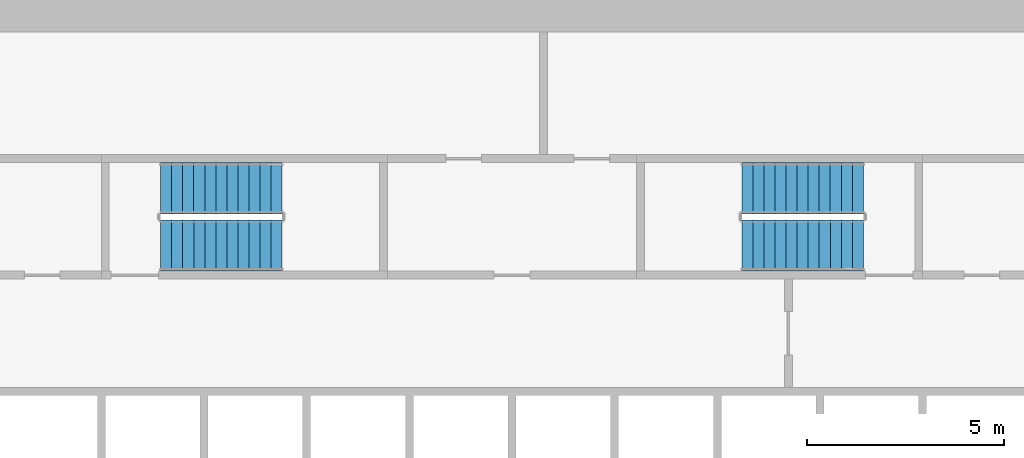
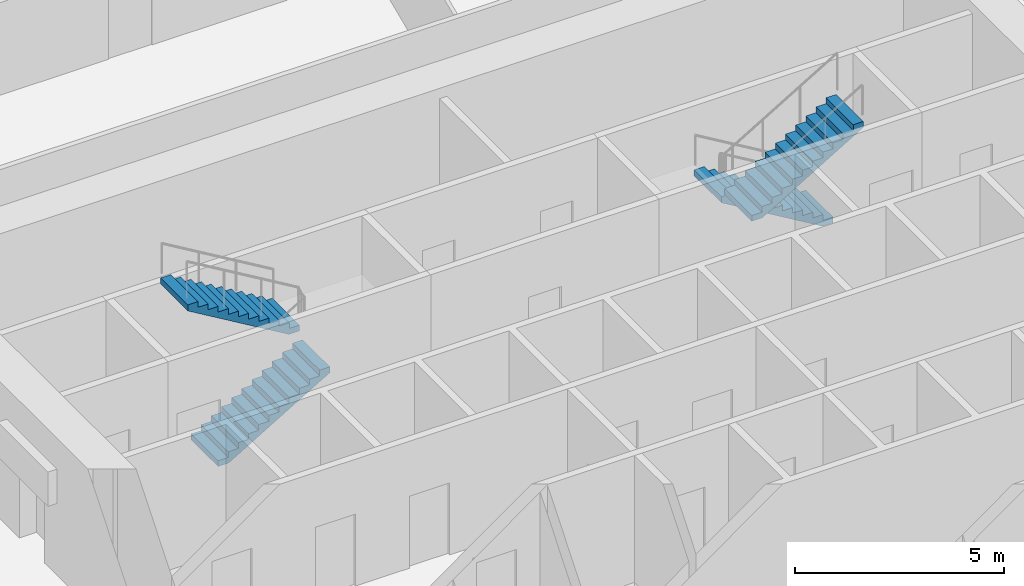
# One storey, part 8 of 10: 4 stair flights, 2 elements without a shape of their own.
"""IFC4 building model written with IfcOpenShell, lengths in metres."""

from ifc_helpers import new_model, si_unit, direction, frame, origin, place, context, subcontext, project, spatial, polyline, outline, extrude, material, type_object, element, aggregate, save


model = new_model("IFC4")

# Units and contexts
model_context = context("Model", 3, precision=1e-05, world=origin(), true_north=direction((0.0, 1.0)))
body_context = subcontext(model_context, "Body", "Model", "MODEL_VIEW")
ifc_project = project(units=[si_unit("LENGTHUNIT", "METRE"), si_unit("AREAUNIT", "SQUARE_METRE"), si_unit("VOLUMEUNIT", "CUBIC_METRE"), si_unit("PLANEANGLEUNIT", "RADIAN"), si_unit("MASSUNIT", "GRAM", prefix="KILO")], contexts=[model_context])

# Site, building, storey
site_placement = place(None, origin())
site = spatial("IfcSite", under=ifc_project, at=site_placement, CompositionType="ELEMENT")
building_placement = place(site_placement, origin())
building = spatial("IfcBuilding", under=site, at=building_placement, Name="Corvane Civic Tower", CompositionType="ELEMENT")
storey_placement = place(building_placement, frame((0.0, 0.0, 106.5)))
storey = spatial("IfcBuildingStorey", under=building, at=storey_placement, Name="L24", CompositionType="ELEMENT", Elevation=106.5)

# Stair, stair flights
ifc_material_1 = material(Name="Concrete C40/50", Category="concrete")
stair_type = type_object("IfcStairType", Name="ST-STAIR-HALFTURN", PredefinedType="HALF_TURN_STAIR", material=ifc_material_1)
stair_1_placement = place(storey_placement, origin())
stair_1 = element("IfcStair", 1, at=stair_1_placement, inside=storey, type_object=stair_type, Name="L24 Exit stair ST1", PredefinedType="HALF_TURN_STAIR")
ifc_material_2 = material(Name="Concrete C40/50", Category="concrete")
stair_flight_type = type_object("IfcStairFlightType", Name="ST-FLIGHT-RC", PredefinedType="STRAIGHT", material=ifc_material_2)
stair_flight_1_placement = place(storey_placement, frame((8.89990234375, 9.550048828125, 0.0), z_axis=(0.0, 0.0, 1.0), x_axis=(-1.0, 0.0, 0.0)))
stair_flight_1 = element("IfcStairFlight", 2, at=stair_flight_1_placement, type_object=stair_flight_type, Name="ST1 flight 1", NumberOfRisers=12, NumberOfTreads=11, PredefinedType="STRAIGHT", RiserHeight=0.166666667, TreadLength=0.28, context=body_context, shape_type="SweptSolid", body=[
    extrude(outline(polyline([(0.0, 0.0), (0.0, 0.166748046875), (0.280029296875, 0.166748046875), (0.280029296875, 0.333251953125), (0.56005859375, 0.333251953125), (0.56005859375, 0.5), (0.840087890625, 0.5), (0.840087890625, 0.666748046875), (1.1201171875, 0.666748046875), (1.1201171875, 0.833251953125), (1.39990234375, 0.833251953125), (1.39990234375, 1.0), (1.679931640625, 1.0), (1.679931640625, 1.166748046875), (1.9599609375, 1.166748046875), (1.9599609375, 1.333251953125), (2.239990234375, 1.333251953125), (2.239990234375, 1.5), (2.52001953125, 1.5), (2.52001953125, 1.666748046875), (2.800048828125, 1.666748046875), (2.800048828125, 1.833251953125), (3.080078125, 1.833251953125), (3.080078125, 2.0), (3.080078125, 1.658935546875), (0.29296875, 0.0), (0.0, 0.0)])), frame((0.0, 0.64990234375, 0.0), z_axis=(0.0, -1.0, 0.0), x_axis=(1.0, 0.0, 0.0)), (0.0, 0.0, 1.0), 1.300048828125),
])
stair_flight_2_placement = place(storey_placement, frame((5.820068359375, 8.10009765625, 2.0), z_axis=(0.0, 0.0, 1.0), x_axis=(1.0, 0.0, 0.0)))
stair_flight_2 = element("IfcStairFlight", 3, at=stair_flight_2_placement, type_object=stair_flight_type, Name="ST1 flight 2", NumberOfRisers=12, NumberOfTreads=11, PredefinedType="STRAIGHT", RiserHeight=0.166666667, TreadLength=0.28, context=body_context, shape_type="SweptSolid", body=[
    extrude(outline(polyline([(0.0, 0.0), (0.0, 0.166748046875), (0.280029296875, 0.166748046875), (0.280029296875, 0.333251953125), (0.56005859375, 0.333251953125), (0.56005859375, 0.5), (0.840087890625, 0.5), (0.840087890625, 0.666748046875), (1.1201171875, 0.666748046875), (1.1201171875, 0.833251953125), (1.39990234375, 0.833251953125), (1.39990234375, 1.0), (1.679931640625, 1.0), (1.679931640625, 1.166748046875), (1.9599609375, 1.166748046875), (1.9599609375, 1.333251953125), (2.239990234375, 1.333251953125), (2.239990234375, 1.5), (2.52001953125, 1.5), (2.52001953125, 1.666748046875), (2.800048828125, 1.666748046875), (2.800048828125, 1.833251953125), (3.080078125, 1.833251953125), (3.080078125, 2.0), (3.080078125, 1.658935546875), (0.29296875, 0.0), (0.0, 0.0)])), frame((0.0, 0.64990234375, 0.0), z_axis=(0.0, -1.0, 0.0), x_axis=(1.0, 0.0, 0.0)), (0.0, 0.0, 1.0), 1.300048828125),
])
aggregate(stair_1, [stair_flight_1, stair_flight_2])

stair_2_placement = place(storey_placement, origin())
stair_2 = element("IfcStair", 4, at=stair_2_placement, inside=storey, type_object=stair_type, Name="L24 Exit stair ST4", PredefinedType="HALF_TURN_STAIR")
stair_flight_3_placement = place(storey_placement, frame((-8.89990234375, 8.10009765625, 0.0), z_axis=(0.0, 0.0, 1.0), x_axis=(1.0, 0.0, 0.0)))
stair_flight_3 = element("IfcStairFlight", 5, at=stair_flight_3_placement, type_object=stair_flight_type, Name="ST4 flight 1", NumberOfRisers=12, NumberOfTreads=11, PredefinedType="STRAIGHT", RiserHeight=0.166666667, TreadLength=0.28, context=body_context, shape_type="SweptSolid", body=[
    extrude(outline(polyline([(0.0, 0.0), (0.0, 0.166748046875), (0.280029296875, 0.166748046875), (0.280029296875, 0.333251953125), (0.56005859375, 0.333251953125), (0.56005859375, 0.5), (0.840087890625, 0.5), (0.840087890625, 0.666748046875), (1.1201171875, 0.666748046875), (1.1201171875, 0.833251953125), (1.39990234375, 0.833251953125), (1.39990234375, 1.0), (1.679931640625, 1.0), (1.679931640625, 1.166748046875), (1.9599609375, 1.166748046875), (1.9599609375, 1.333251953125), (2.239990234375, 1.333251953125), (2.239990234375, 1.5), (2.52001953125, 1.5), (2.52001953125, 1.666748046875), (2.800048828125, 1.666748046875), (2.800048828125, 1.833251953125), (3.080078125, 1.833251953125), (3.080078125, 2.0), (3.080078125, 1.658935546875), (0.29296875, 0.0), (0.0, 0.0)])), frame((0.0, 0.64990234375, 0.0), z_axis=(0.0, -1.0, 0.0), x_axis=(1.0, 0.0, 0.0)), (0.0, 0.0, 1.0), 1.300048828125),
])
stair_flight_4_placement = place(storey_placement, frame((-5.820068359375, 9.550048828125, 2.0), z_axis=(0.0, 0.0, 1.0), x_axis=(-1.0, 0.0, 0.0)))
stair_flight_4 = element("IfcStairFlight", 6, at=stair_flight_4_placement, type_object=stair_flight_type, Name="ST4 flight 2", NumberOfRisers=12, NumberOfTreads=11, PredefinedType="STRAIGHT", RiserHeight=0.166666667, TreadLength=0.28, context=body_context, shape_type="SweptSolid", body=[
    extrude(outline(polyline([(0.0, 0.0), (0.0, 0.166748046875), (0.280029296875, 0.166748046875), (0.280029296875, 0.333251953125), (0.56005859375, 0.333251953125), (0.56005859375, 0.5), (0.840087890625, 0.5), (0.840087890625, 0.666748046875), (1.1201171875, 0.666748046875), (1.1201171875, 0.833251953125), (1.39990234375, 0.833251953125), (1.39990234375, 1.0), (1.679931640625, 1.0), (1.679931640625, 1.166748046875), (1.9599609375, 1.166748046875), (1.9599609375, 1.333251953125), (2.239990234375, 1.333251953125), (2.239990234375, 1.5), (2.52001953125, 1.5), (2.52001953125, 1.666748046875), (2.800048828125, 1.666748046875), (2.800048828125, 1.833251953125), (3.080078125, 1.833251953125), (3.080078125, 2.0), (3.080078125, 1.658935546875), (0.29296875, 0.0), (0.0, 0.0)])), frame((0.0, 0.64990234375, 0.0), z_axis=(0.0, -1.0, 0.0), x_axis=(1.0, 0.0, 0.0)), (0.0, 0.0, 1.0), 1.300048828125),
])
aggregate(stair_2, [stair_flight_3, stair_flight_4])

save(model, "model.ifc")
